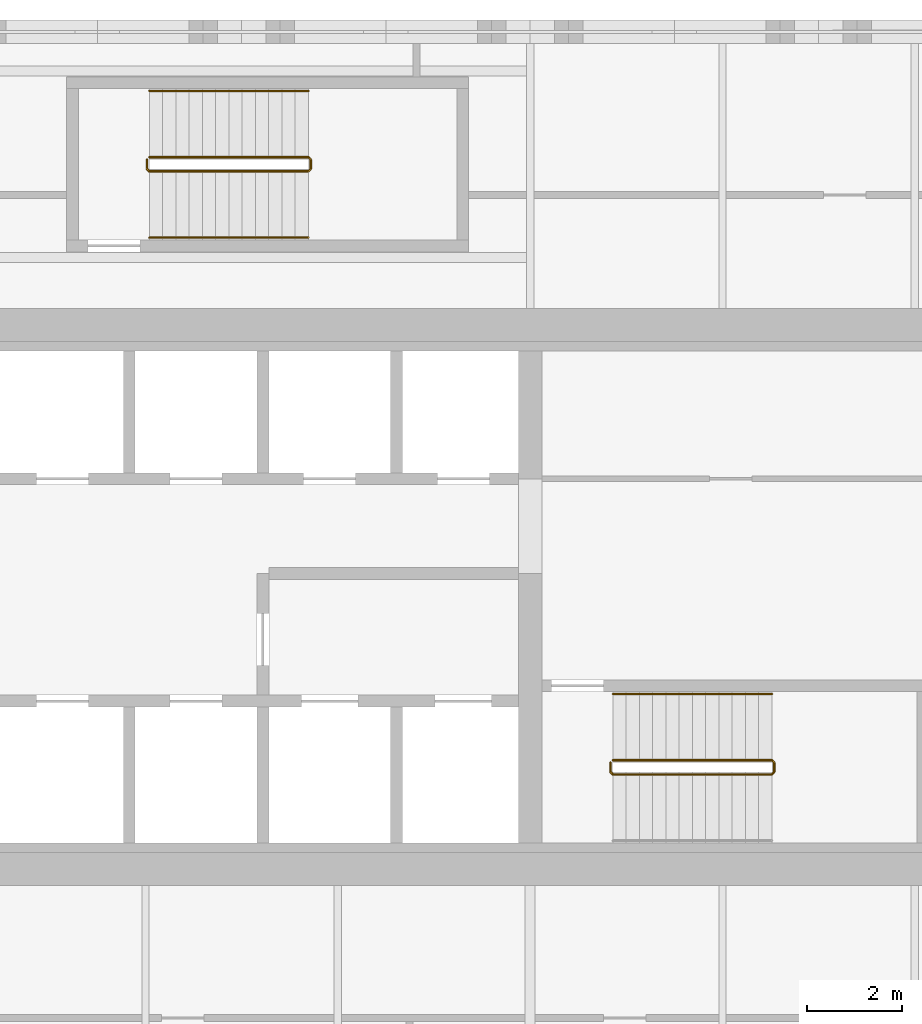
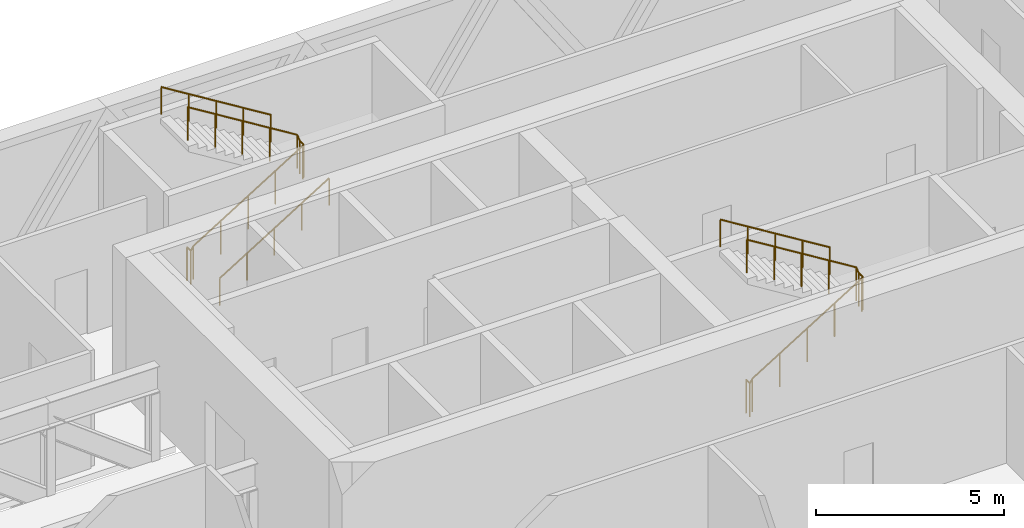
# One storey, part 30 of 30: 5 railings.
"""IFC4 building model written with IfcOpenShell, lengths in metres."""

from ifc_helpers import new_model, si_unit, direction, frame, origin, origin_2d, place, context, subcontext, project, spatial, circle, extrude, material, type_object, element, save


model = new_model("IFC4")

# Units and contexts
model_context = context("Model", 3, precision=1e-05, world=origin(), true_north=direction((0.0, 1.0)))
body_context = subcontext(model_context, "Body", "Model", "MODEL_VIEW")
ifc_project = project(units=[si_unit("LENGTHUNIT", "METRE"), si_unit("AREAUNIT", "SQUARE_METRE"), si_unit("VOLUMEUNIT", "CUBIC_METRE"), si_unit("PLANEANGLEUNIT", "RADIAN"), si_unit("MASSUNIT", "GRAM", prefix="KILO")], contexts=[model_context])

# Site, building, storey
site_placement = place(None, origin())
site = spatial("IfcSite", under=ifc_project, at=site_placement, CompositionType="ELEMENT")
building_placement = place(site_placement, origin())
building = spatial("IfcBuilding", under=site, at=building_placement, Name="Tessera Gate Towers", CompositionType="ELEMENT")
storey_placement = place(building_placement, frame((0.0, 0.0, 21.300048828125)))
storey = spatial("IfcBuildingStorey", under=building, at=storey_placement, Name="L04", CompositionType="ELEMENT", Elevation=21.300048828125)

# Railings
ifc_material_1 = material(Name="Steel 350W", Category="steel")
railing_type_1 = type_object("IfcRailingType", Name="STAIR GUARD 1100", PredefinedType="GUARDRAIL", material=ifc_material_1)
railing_1_placement = place(storey_placement, frame((111.5, 39.199951171875, 0.0)))
element("IfcRailing", 1, at=railing_1_placement, inside=storey, type_object=railing_type_1, Name="L04 ST6 stair guard 1", PredefinedType="GUARDRAIL", context=body_context, shape_type="SweptSolid", body=[
    extrude(circle(Radius=0.02392578125, at=origin_2d()), frame((0.0, 0.0, 1.076171875), z_axis=(0.0, -1.0, 0.0), x_axis=(1.0, 0.0, 0.0)), (0.0, 0.0, 1.0), 0.199951171875),
    extrude(circle(Radius=0.02392578125, at=origin_2d()), frame((0.0, -0.199951171875, 1.076171875), z_axis=(0.267629722418, -0.267629722418, 0.925607186314), x_axis=(0.707106781187, 0.707106781187, 0.0)), (0.0, 0.0, 1.0), 0.18701171875),
    extrude(circle(Radius=0.02392578125, at=origin_2d()), frame((0.050048828125, -0.25, 1.2490234375), z_axis=(0.850606129759, 0.0, 0.525803396734), x_axis=(0.0, 1.0, 0.0)), (0.0, 0.0, 1.0), 3.949951171875),
    extrude(circle(Radius=0.02392578125, at=origin_2d()), frame((3.409912109375, -0.25, 3.326171875), z_axis=(0.707106781187, 0.707106781187, 0.0), x_axis=(-0.707106781187, 0.707106781187, 0.0)), (0.0, 0.0, 1.0), 0.07080078125),
    extrude(circle(Radius=0.02392578125, at=origin_2d()), frame((3.4599609375, -0.199951171875, 3.326171875), z_axis=(0.0, 1.0, 0.0), x_axis=(-1.0, 0.0, 0.0)), (0.0, 0.0, 1.0), 0.199951171875),
    extrude(circle(Radius=0.02392578125, at=origin_2d()), frame((3.4599609375, 0.0, 3.326171875), z_axis=(-0.267629722418, 0.267629722418, 0.925607186314), x_axis=(-0.707106781187, -0.707106781187, 0.0)), (0.0, 0.0, 1.0), 0.18701171875),
    extrude(circle(Radius=0.02392578125, at=origin_2d()), frame((3.409912109375, 0.050048828125, 3.4990234375), z_axis=(-0.850606129759, 0.0, 0.525803396734), x_axis=(0.0, -1.0, 0.0)), (0.0, 0.0, 1.0), 3.949951171875),
    extrude(circle(Radius=0.02099609375, at=origin_2d()), origin(), (0.0, 0.0, 1.0), 1.052001953125),
    extrude(circle(Radius=0.02099609375, at=origin_2d()), frame((0.0, -0.199951171875, 0.0)), (0.0, 0.0, 1.0), 1.052001953125),
    extrude(circle(Radius=0.02099609375, at=origin_2d()), frame((0.050048828125, -0.25, 0.173095703125)), (0.0, 0.0, 1.0), 1.052001953125),
    extrude(circle(Radius=0.02099609375, at=origin_2d()), frame((0.89013671875, -0.25, 0.6923828125)), (0.0, 0.0, 1.0), 1.052001953125),
    extrude(circle(Radius=0.02099609375, at=origin_2d()), frame((1.72998046875, -0.25, 1.21142578125)), (0.0, 0.0, 1.0), 1.052001953125),
    extrude(circle(Radius=0.02099609375, at=origin_2d()), frame((2.56982421875, -0.25, 1.730712890625)), (0.0, 0.0, 1.0), 1.052001953125),
    extrude(circle(Radius=0.02099609375, at=origin_2d()), frame((3.409912109375, -0.25, 2.25)), (0.0, 0.0, 1.0), 1.052001953125),
    extrude(circle(Radius=0.02099609375, at=origin_2d()), frame((3.4599609375, -0.199951171875, 2.25)), (0.0, 0.0, 1.0), 1.052001953125),
    extrude(circle(Radius=0.02099609375, at=origin_2d()), frame((3.4599609375, 0.0, 2.25)), (0.0, 0.0, 1.0), 1.052001953125),
    extrude(circle(Radius=0.02099609375, at=origin_2d()), frame((3.409912109375, 0.050048828125, 2.423095703125)), (0.0, 0.0, 1.0), 1.052001953125),
    extrude(circle(Radius=0.02099609375, at=origin_2d()), frame((2.56982421875, 0.050048828125, 2.9423828125)), (0.0, 0.0, 1.0), 1.052001953125),
    extrude(circle(Radius=0.02099609375, at=origin_2d()), frame((1.72998046875, 0.050048828125, 3.46142578125)), (0.0, 0.0, 1.0), 1.052001953125),
    extrude(circle(Radius=0.02099609375, at=origin_2d()), frame((0.89013671875, 0.050048828125, 3.980712890625)), (0.0, 0.0, 1.0), 1.052001953125),
    extrude(circle(Radius=0.02099609375, at=origin_2d()), frame((0.050048828125, 0.050048828125, 4.5)), (0.0, 0.0, 1.0), 1.052001953125),
])
railing_2_placement = place(storey_placement, frame((101.699951171875, 51.949951171875, 0.0)))
element("IfcRailing", 2, at=railing_2_placement, inside=storey, type_object=railing_type_1, Name="L04 ST7 stair guard 1", PredefinedType="GUARDRAIL", context=body_context, shape_type="SweptSolid", body=[
    extrude(circle(Radius=0.02392578125, at=origin_2d()), frame((0.0, 0.0, 1.076171875), z_axis=(0.0, -1.0, 0.0), x_axis=(1.0, 0.0, 0.0)), (0.0, 0.0, 1.0), 0.199951171875),
    extrude(circle(Radius=0.02392578125, at=origin_2d()), frame((0.0, -0.199951171875, 1.076171875), z_axis=(0.267629722418, -0.267629722418, 0.925607186314), x_axis=(0.707106781187, 0.707106781187, 0.0)), (0.0, 0.0, 1.0), 0.18701171875),
    extrude(circle(Radius=0.02392578125, at=origin_2d()), frame((0.050048828125, -0.25, 1.2490234375), z_axis=(0.850623216509, 0.0, 0.525775754039), x_axis=(0.0, 1.0, 0.0)), (0.0, 0.0, 1.0), 3.9501953125),
    extrude(circle(Radius=0.02392578125, at=origin_2d()), frame((3.41015625, -0.25, 3.326171875), z_axis=(0.705375805398, 0.708833529934, 0.0), x_axis=(-0.708833529934, 0.705375805398, 0.0)), (0.0, 0.0, 1.0), 0.070556640625),
    extrude(circle(Radius=0.02392578125, at=origin_2d()), frame((3.4599609375, -0.199951171875, 3.326171875), z_axis=(0.0, 1.0, 0.0), x_axis=(-1.0, 0.0, 0.0)), (0.0, 0.0, 1.0), 0.199951171875),
    extrude(circle(Radius=0.02392578125, at=origin_2d()), frame((3.4599609375, 0.0, 3.326171875), z_axis=(-0.266417085129, 0.267723051232, 0.925929967433), x_axis=(-0.708833529934, -0.705375805398, 0.0)), (0.0, 0.0, 1.0), 0.18701171875),
    extrude(circle(Radius=0.02392578125, at=origin_2d()), frame((3.41015625, 0.050048828125, 3.4990234375), z_axis=(-0.850623216509, 0.0, 0.525775754039), x_axis=(0.0, -1.0, 0.0)), (0.0, 0.0, 1.0), 3.9501953125),
    extrude(circle(Radius=0.02099609375, at=origin_2d()), origin(), (0.0, 0.0, 1.0), 1.052001953125),
    extrude(circle(Radius=0.02099609375, at=origin_2d()), frame((0.0, -0.199951171875, 0.0)), (0.0, 0.0, 1.0), 1.052001953125),
    extrude(circle(Radius=0.02099609375, at=origin_2d()), frame((0.050048828125, -0.25, 0.173095703125)), (0.0, 0.0, 1.0), 1.052001953125),
    extrude(circle(Radius=0.02099609375, at=origin_2d()), frame((0.89013671875, -0.25, 0.6923828125)), (0.0, 0.0, 1.0), 1.052001953125),
    extrude(circle(Radius=0.02099609375, at=origin_2d()), frame((1.72998046875, -0.25, 1.21142578125)), (0.0, 0.0, 1.0), 1.052001953125),
    extrude(circle(Radius=0.02099609375, at=origin_2d()), frame((2.570068359375, -0.25, 1.730712890625)), (0.0, 0.0, 1.0), 1.052001953125),
    extrude(circle(Radius=0.02099609375, at=origin_2d()), frame((3.41015625, -0.25, 2.25)), (0.0, 0.0, 1.0), 1.052001953125),
    extrude(circle(Radius=0.02099609375, at=origin_2d()), frame((3.4599609375, -0.199951171875, 2.25)), (0.0, 0.0, 1.0), 1.052001953125),
    extrude(circle(Radius=0.02099609375, at=origin_2d()), frame((3.4599609375, 0.0, 2.25)), (0.0, 0.0, 1.0), 1.052001953125),
    extrude(circle(Radius=0.02099609375, at=origin_2d()), frame((3.41015625, 0.050048828125, 2.423095703125)), (0.0, 0.0, 1.0), 1.052001953125),
    extrude(circle(Radius=0.02099609375, at=origin_2d()), frame((2.570068359375, 0.050048828125, 2.9423828125)), (0.0, 0.0, 1.0), 1.052001953125),
    extrude(circle(Radius=0.02099609375, at=origin_2d()), frame((1.72998046875, 0.050048828125, 3.46142578125)), (0.0, 0.0, 1.0), 1.052001953125),
    extrude(circle(Radius=0.02099609375, at=origin_2d()), frame((0.89013671875, 0.050048828125, 3.980712890625)), (0.0, 0.0, 1.0), 1.052001953125),
    extrude(circle(Radius=0.02099609375, at=origin_2d()), frame((0.050048828125, 0.050048828125, 4.5)), (0.0, 0.0, 1.0), 1.052001953125),
])
ifc_material_2 = material(Name="Steel 350W", Category="steel")
railing_type_2 = type_object("IfcRailingType", Name="STAIR HANDRAIL 900", PredefinedType="HANDRAIL", material=ifc_material_2)
railing_3_placement = place(storey_placement, frame((114.909912109375, 40.64990234375, 2.423095703125)))
element("IfcRailing", 3, at=railing_3_placement, inside=storey, type_object=railing_type_2, Name="L04 ST6 stair handrail 2", PredefinedType="HANDRAIL", context=body_context, shape_type="SweptSolid", body=[
    extrude(circle(Radius=0.02392578125, at=origin_2d()), frame((0.0, 0.0, 0.8759765625), z_axis=(-0.850606129759, 0.0, 0.525803396734), x_axis=(0.0, -1.0, 0.0)), (0.0, 0.0, 1.0), 3.949951171875),
    extrude(circle(Radius=0.02099609375, at=origin_2d()), origin(), (0.0, 0.0, 1.0), 0.851806640625),
    extrude(circle(Radius=0.02099609375, at=origin_2d()), frame((-0.83984375, 0.0, 0.519287109375)), (0.0, 0.0, 1.0), 0.851806640625),
    extrude(circle(Radius=0.02099609375, at=origin_2d()), frame((-1.679931640625, 0.0, 1.03857421875)), (0.0, 0.0, 1.0), 0.851806640625),
    extrude(circle(Radius=0.02099609375, at=origin_2d()), frame((-2.52001953125, 0.0, 1.5576171875)), (0.0, 0.0, 1.0), 0.851806640625),
    extrude(circle(Radius=0.02099609375, at=origin_2d()), frame((-3.35986328125, 0.0, 2.076904296875)), (0.0, 0.0, 1.0), 0.851806640625),
])
railing_4_placement = place(storey_placement, frame((101.75, 50.300048828125, 0.173095703125)))
element("IfcRailing", 4, at=railing_4_placement, inside=storey, type_object=railing_type_2, Name="L04 ST7 stair handrail 1", PredefinedType="HANDRAIL", context=body_context, shape_type="SweptSolid", body=[
    extrude(circle(Radius=0.02392578125, at=origin_2d()), frame((0.0, 0.0, 0.8759765625), z_axis=(0.850623216509, 0.0, 0.525775754039), x_axis=(0.0, 1.0, 0.0)), (0.0, 0.0, 1.0), 3.9501953125),
    extrude(circle(Radius=0.02099609375, at=origin_2d()), origin(), (0.0, 0.0, 1.0), 0.851806640625),
    extrude(circle(Radius=0.02099609375, at=origin_2d()), frame((0.840087890625, 0.0, 0.519287109375)), (0.0, 0.0, 1.0), 0.851806640625),
    extrude(circle(Radius=0.02099609375, at=origin_2d()), frame((1.68017578125, 0.0, 1.03857421875)), (0.0, 0.0, 1.0), 0.851806640625),
    extrude(circle(Radius=0.02099609375, at=origin_2d()), frame((2.52001953125, 0.0, 1.5576171875)), (0.0, 0.0, 1.0), 0.851806640625),
    extrude(circle(Radius=0.02099609375, at=origin_2d()), frame((3.360107421875, 0.0, 2.076904296875)), (0.0, 0.0, 1.0), 0.851806640625),
])
railing_5_placement = place(storey_placement, frame((105.110107421875, 53.39990234375, 2.423095703125)))
element("IfcRailing", 5, at=railing_5_placement, inside=storey, type_object=railing_type_2, Name="L04 ST7 stair handrail 2", PredefinedType="HANDRAIL", context=body_context, shape_type="SweptSolid", body=[
    extrude(circle(Radius=0.02392578125, at=origin_2d()), frame((0.0, 0.0, 0.8759765625), z_axis=(-0.850623216509, 0.0, 0.525775754039), x_axis=(0.0, -1.0, 0.0)), (0.0, 0.0, 1.0), 3.9501953125),
    extrude(circle(Radius=0.02099609375, at=origin_2d()), origin(), (0.0, 0.0, 1.0), 0.851806640625),
    extrude(circle(Radius=0.02099609375, at=origin_2d()), frame((-0.840087890625, 0.0, 0.519287109375)), (0.0, 0.0, 1.0), 0.851806640625),
    extrude(circle(Radius=0.02099609375, at=origin_2d()), frame((-1.68017578125, 0.0, 1.03857421875)), (0.0, 0.0, 1.0), 0.851806640625),
    extrude(circle(Radius=0.02099609375, at=origin_2d()), frame((-2.52001953125, 0.0, 1.5576171875)), (0.0, 0.0, 1.0), 0.851806640625),
    extrude(circle(Radius=0.02099609375, at=origin_2d()), frame((-3.360107421875, 0.0, 2.076904296875)), (0.0, 0.0, 1.0), 0.851806640625),
])

save(model, "model.ifc")
